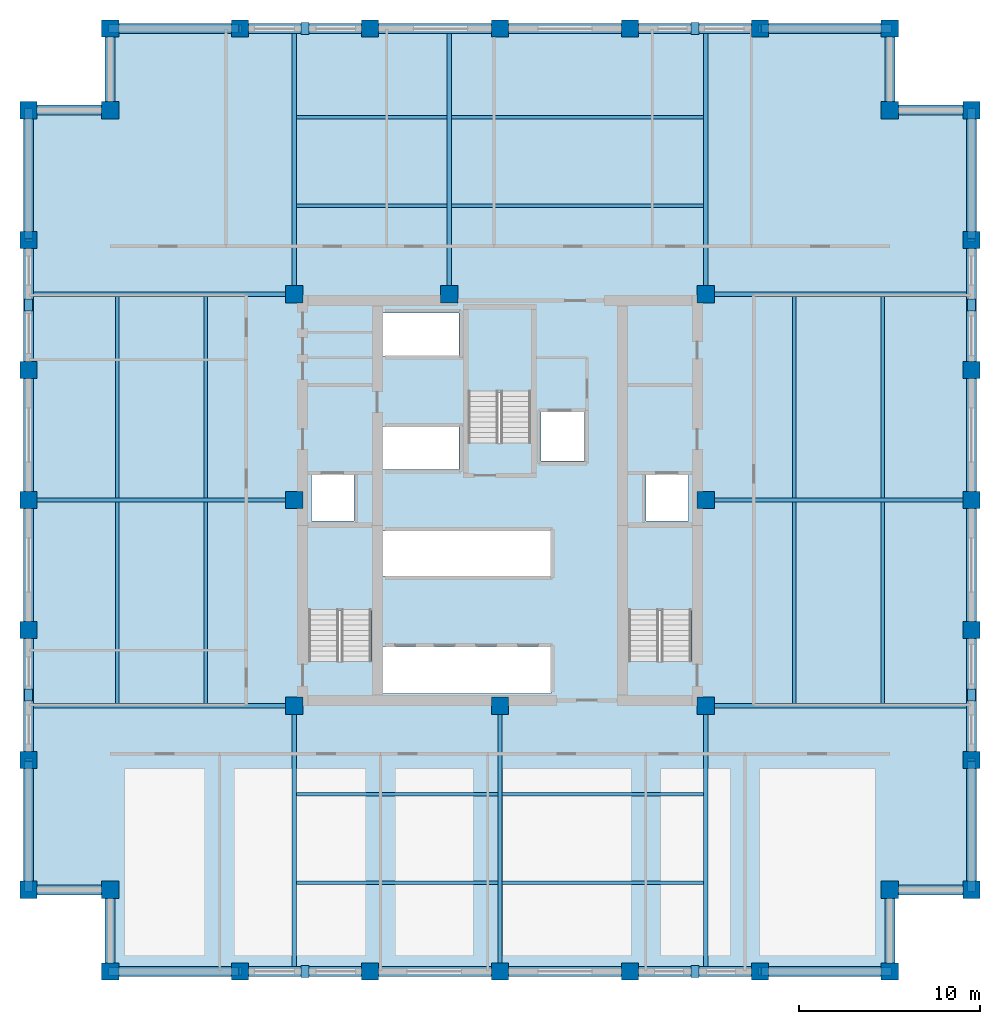
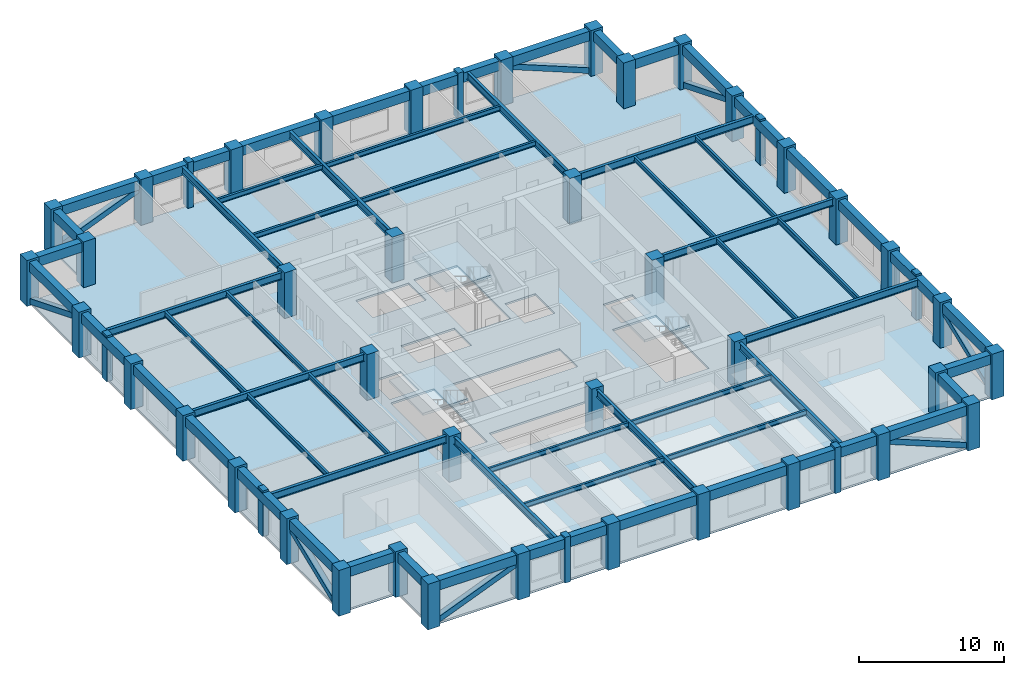
# One storey, part 1 of 9: 60 beams, 40 columns, 16 members, 4 slabs, 3 elements without a shape of their own.
"""IFC4 building model written with IfcOpenShell, lengths in metres."""

from ifc_helpers import new_model, si_unit, direction, frame, origin, origin_2d, place, context, subcontext, project, spatial, polyline, rectangle, hollow_rectangle, i_section, outline, extrude, material, layer, layer_set, material_profile, profile_set, type_object, element, aggregate, save


model = new_model("IFC4")

# Units and contexts
model_context = context("Model", 3, precision=1e-05, world=origin(), true_north=direction((0.0, 1.0)))
body_context = subcontext(model_context, "Body", "Model", "MODEL_VIEW")
ifc_project = project(units=[si_unit("LENGTHUNIT", "METRE"), si_unit("AREAUNIT", "SQUARE_METRE"), si_unit("VOLUMEUNIT", "CUBIC_METRE"), si_unit("PLANEANGLEUNIT", "RADIAN"), si_unit("MASSUNIT", "GRAM", prefix="KILO")], contexts=[model_context])

# Site, building, storey
site_placement = place(None, origin())
site = spatial("IfcSite", under=ifc_project, at=site_placement, CompositionType="ELEMENT")
building_placement = place(site_placement, origin())
building = spatial("IfcBuilding", under=site, at=building_placement, Name="Nhamokura Convention Tower", CompositionType="ELEMENT")
storey_placement = place(building_placement, frame((0.0, 0.0, 122.14990234375)))
storey = spatial("IfcBuildingStorey", under=building, at=storey_placement, Name="L29", CompositionType="ELEMENT", Elevation=122.14990234375)

# Columns
ifc_material_1 = material(Name="Concrete C60/75", Category="concrete")
ifc_material_profile_1 = material_profile(ifc_material_1, rectangle(XDim=0.949951171875, YDim=0.949951171875, at=origin_2d()))
ifc_profile_set_1 = profile_set([ifc_material_profile_1], Name="Concrete C60/75")
column_type = type_object("IfcColumnType", Name="TubeColumn_Z2_950", PredefinedType="COLUMN", material=ifc_profile_set_1)
for number, where, z_axis, x_axis, name in (
    (1, (20.64990234375, 20.64990234375, 0.0), (0.0, 0.0, 1.0), (1.0, 0.0, 0.0), "L29 Core Column CC-SW"),
    (2, (32.0, 20.64990234375, 0.0), (0.0, 0.0, 1.0), (1.0, 0.0, 0.0), "L29 Core Column CC-S"),
    (3, (43.35009765625, 20.64990234375, 0.0), (0.0, 0.0, 1.0), (1.0, 0.0, 0.0), "L29 Core Column CC-SE"),
    (4, (43.35009765625, 32.0, 0.0), (0.0, 0.0, 1.0), (1.0, 0.0, 0.0), "L29 Core Column CC-E"),
    (5, (43.35009765625, 43.35009765625, 0.0), (0.0, 0.0, 1.0), (1.0, 0.0, 0.0), "L29 Core Column CC-NE"),
    (6, (29.199951171875, 43.35009765625, 0.0), (0.0, 0.0, 1.0), (1.0, 0.0, 0.0), "L29 Core Column CC-N"),
    (7, (20.64990234375, 43.35009765625, 0.0), (0.0, 0.0, 1.0), (1.0, 0.0, 0.0), "L29 Core Column CC-NW"),
    (8, (20.64990234375, 32.0, 0.0), (0.0, 0.0, 1.0), (1.0, 0.0, 0.0), "L29 Core Column CC-W"),
    (9, (10.5, 6.0, 0.0), (0.0, 0.0, 1.0), (1.0, 0.0, 0.0), "L29 Perimeter Tube Column SW1"),
    (10, (10.5, 10.5, 0.0), (0.0, 0.0, 1.0), (1.0, 0.0, 0.0), "L29 Perimeter Tube Column SW0"),
    (11, (6.0, 10.5, 0.0), (0.0, 0.0, 1.0), (1.0, 0.0, 0.0), "L29 Perimeter Tube Column SW2"),
    (12, (53.5, 6.0, 0.0), (0.0, 0.0, 1.0), (1.0, 0.0, 0.0), "L29 Perimeter Tube Column SE1"),
    (13, (53.5, 10.5, 0.0), (0.0, 0.0, 1.0), (1.0, 0.0, 0.0), "L29 Perimeter Tube Column SE0"),
    (14, (58.0, 10.5, 0.0), (0.0, 0.0, 1.0), (1.0, 0.0, 0.0), "L29 Perimeter Tube Column SE2"),
    (15, (58.0, 53.5, 0.0), (0.0, 0.0, 1.0), (1.0, 0.0, 0.0), "L29 Perimeter Tube Column NE1"),
    (16, (53.5, 53.5, 0.0), (0.0, 0.0, 1.0), (1.0, 0.0, 0.0), "L29 Perimeter Tube Column NE0"),
    (17, (53.5, 58.0, 0.0), (0.0, 0.0, 1.0), (1.0, 0.0, 0.0), "L29 Perimeter Tube Column NE2"),
    (18, (10.5, 58.0, 0.0), (0.0, 0.0, 1.0), (1.0, 0.0, 0.0), "L29 Perimeter Tube Column NW1"),
    (19, (10.5, 53.5, 0.0), (0.0, 0.0, 1.0), (1.0, 0.0, 0.0), "L29 Perimeter Tube Column NW0"),
    (20, (6.0, 53.5, 0.0), (0.0, 0.0, 1.0), (1.0, 0.0, 0.0), "L29 Perimeter Tube Column NW2"),
    (21, (17.666748046875, 6.0, 0.0), (0.0, 0.0, 1.0), (1.0, 0.0, 0.0), "L29 Perimeter Tube Column S1"),
    (22, (17.666748046875, 58.0, 0.0), (0.0, 0.0, 1.0), (1.0, 0.0, 0.0), "L29 Perimeter Tube Column N1"),
    (23, (6.0, 17.666748046875, 0.0), (0.0, 0.0, 1.0), (1.0, 0.0, 0.0), "L29 Perimeter Tube Column W1"),
    (24, (58.0, 17.666748046875, 0.0), (0.0, 0.0, 1.0), (1.0, 0.0, 0.0), "L29 Perimeter Tube Column E1"),
    (25, (24.833251953125, 6.0, 0.0), (0.0, 0.0, 1.0), (1.0, 0.0, 0.0), "L29 Perimeter Tube Column S2"),
    (26, (24.833251953125, 58.0, 0.0), (0.0, 0.0, 1.0), (1.0, 0.0, 0.0), "L29 Perimeter Tube Column N2"),
    (27, (6.0, 24.833251953125, 0.0), (0.0, 0.0, 1.0), (1.0, 0.0, 0.0), "L29 Perimeter Tube Column W2"),
    (28, (58.0, 24.833251953125, 0.0), (0.0, 0.0, 1.0), (1.0, 0.0, 0.0), "L29 Perimeter Tube Column E2"),
    (29, (32.0, 6.0, 0.0), (0.0, 0.0, 1.0), (1.0, 0.0, 0.0), "L29 Perimeter Tube Column S3"),
    (30, (32.0, 58.0, 0.0), (0.0, 0.0, 1.0), (1.0, 0.0, 0.0), "L29 Perimeter Tube Column N3"),
    (31, (6.0, 32.0, 0.0), (0.0, 0.0, 1.0), (1.0, 0.0, 0.0), "L29 Perimeter Tube Column W3"),
    (32, (58.0, 32.0, 0.0), (0.0, 0.0, 1.0), (1.0, 0.0, 0.0), "L29 Perimeter Tube Column E3"),
    (33, (39.166748046875, 6.0, 0.0), (0.0, 0.0, 1.0), (1.0, 0.0, 0.0), "L29 Perimeter Tube Column S4"),
    (34, (39.166748046875, 58.0, 0.0), (0.0, 0.0, 1.0), (1.0, 0.0, 0.0), "L29 Perimeter Tube Column N4"),
    (35, (6.0, 39.166748046875, 0.0), (0.0, 0.0, 1.0), (1.0, 0.0, 0.0), "L29 Perimeter Tube Column W4"),
    (36, (58.0, 39.166748046875, 0.0), (0.0, 0.0, 1.0), (1.0, 0.0, 0.0), "L29 Perimeter Tube Column E4"),
    (37, (46.333251953125, 6.0, 0.0), (0.0, 0.0, 1.0), (1.0, 0.0, 0.0), "L29 Perimeter Tube Column S5"),
    (38, (46.333251953125, 58.0, 0.0), (0.0, 0.0, 1.0), (1.0, 0.0, 0.0), "L29 Perimeter Tube Column N5"),
    (39, (6.0, 46.333251953125, 0.0), (0.0, 0.0, 1.0), (1.0, 0.0, 0.0), "L29 Perimeter Tube Column W5"),
    (40, (58.0, 46.333251953125, 0.0), (0.0, 0.0, 1.0), (1.0, 0.0, 0.0), "L29 Perimeter Tube Column E5"),
):
    element("IfcColumn", number, at=place(storey_placement, frame(where, z_axis=z_axis, x_axis=x_axis)), inside=storey, type_object=column_type, Name=name, PredefinedType="COLUMN", context=body_context, shape_type="SweptSolid", body=[
        extrude(rectangle(XDim=0.949951171875, YDim=0.949951171875, at=origin_2d()), origin(), (0.0, 0.0, 1.0), 3.85009765625),
    ])

# Members
ifc_material_2 = material(Name="Bronze-pigmented precast concrete C45/55", Category="concrete")
ifc_material_profile_2 = material_profile(ifc_material_2, rectangle(XDim=0.449951171875, YDim=0.64990234375, at=origin_2d()))
ifc_profile_set_2 = profile_set([ifc_material_profile_2], Name="Bronze-pigmented precast concrete C45/55")
member_type_1 = type_object("IfcMemberType", Name="BronzePilaster_650", PredefinedType="USERDEFINED", material=ifc_profile_set_2)
for number, where, z_axis, x_axis, name in (
    (41, (21.25, 6.0, 0.0), (0.0, 0.0, 1.0), (1.0, 0.0, 0.0), "L29 Engaged Frame Pilaster SOUTH 1"),
    (42, (42.75, 6.0, 0.0), (0.0, 0.0, 1.0), (1.0, 0.0, 0.0), "L29 Engaged Frame Pilaster SOUTH 4"),
    (43, (21.25, 58.0, 0.0), (0.0, 0.0, 1.0), (1.0, 0.0, 0.0), "L29 Engaged Frame Pilaster NORTH 1"),
    (44, (42.75, 58.0, 0.0), (0.0, 0.0, 1.0), (1.0, 0.0, 0.0), "L29 Engaged Frame Pilaster NORTH 4"),
    (45, (6.0, 21.25, 0.0), (0.0, 0.0, 1.0), (1.0, 0.0, 0.0), "L29 Engaged Frame Pilaster WEST 1"),
    (46, (6.0, 42.75, 0.0), (0.0, 0.0, 1.0), (1.0, 0.0, 0.0), "L29 Engaged Frame Pilaster WEST 4"),
    (47, (58.0, 21.25, 0.0), (0.0, 0.0, 1.0), (1.0, 0.0, 0.0), "L29 Engaged Frame Pilaster EAST 1"),
    (48, (58.0, 42.75, 0.0), (0.0, 0.0, 1.0), (1.0, 0.0, 0.0), "L29 Engaged Frame Pilaster EAST 4"),
):
    element("IfcMember", number, at=place(storey_placement, frame(where, z_axis=z_axis, x_axis=x_axis)), inside=storey, type_object=member_type_1, Name=name, ObjectType="PILASTER_TRIM", PredefinedType="USERDEFINED", context=body_context, shape_type="SweptSolid", body=[
        extrude(rectangle(XDim=0.449951171875, YDim=0.64990234375, at=origin_2d()), origin(), (0.0, 0.0, 1.0), 3.85009765625),
    ])

# Beams
ifc_material_3 = material(Name="Steel ASTM A992 Gr 50", Category="steel")
ifc_material_profile_3 = material_profile(ifc_material_3, i_section(OverallWidth=0.177001953125, OverallDepth=0.403076171875, WebThickness=0.007568359375, FlangeThickness=0.010986328125, at=origin_2d()))
ifc_profile_set_3 = profile_set([ifc_material_profile_3], Name="Steel ASTM A992 Gr 50")
beam_type_1 = type_object("IfcBeamType", Name="FloorJoist_W410X53", PredefinedType="JOIST", material=ifc_profile_set_3)
for number, where, z_axis, x_axis, name in (
    (49, (20.761962890625, 10.88330078125, 3.483642578125), (1.0, 0.0, 0.0), (0.0, 1.0, 0.0), "L29 Composite Floor Joist S1A"),
    (50, (32.112060546875, 10.88330078125, 3.483642578125), (1.0, 0.0, 0.0), (0.0, 1.0, 0.0), "L29 Composite Floor Joist S1B"),
    (51, (20.761962890625, 15.7666015625, 3.483642578125), (1.0, 0.0, 0.0), (0.0, 1.0, 0.0), "L29 Composite Floor Joist S2A"),
    (52, (32.112060546875, 15.7666015625, 3.483642578125), (1.0, 0.0, 0.0), (0.0, 1.0, 0.0), "L29 Composite Floor Joist S2B"),
):
    element("IfcBeam", number, at=place(storey_placement, frame(where, z_axis=z_axis, x_axis=x_axis)), inside=storey, type_object=beam_type_1, Name=name, PredefinedType="JOIST", context=body_context, shape_type="SweptSolid", body=[
        extrude(i_section(OverallWidth=0.177001953125, OverallDepth=0.403076171875, WebThickness=0.007568359375, FlangeThickness=0.010986328125, at=origin_2d()), origin(), (0.0, 0.0, 1.0), 11.1259765625),
    ])
beam_1_placement = place(storey_placement, frame((20.761962890625, 48.2333984375, 3.483642578125), z_axis=(1.0, 0.0, 0.0), x_axis=(0.0, 1.0, 0.0)))
element("IfcBeam", 53, at=beam_1_placement, inside=storey, type_object=beam_type_1, Name="L29 Composite Floor Joist N1A", PredefinedType="JOIST", context=body_context, shape_type="SweptSolid", body=[
    extrude(i_section(OverallWidth=0.177001953125, OverallDepth=0.403076171875, WebThickness=0.007568359375, FlangeThickness=0.010986328125, at=origin_2d()), origin(), (0.0, 0.0, 1.0), 8.325927734375),
])
beam_2_placement = place(storey_placement, frame((29.31201171875, 48.2333984375, 3.483642578125), z_axis=(1.0, 0.0, 0.0), x_axis=(0.0, 1.0, 0.0)))
element("IfcBeam", 54, at=beam_2_placement, inside=storey, type_object=beam_type_1, Name="L29 Composite Floor Joist N1B", PredefinedType="JOIST", context=body_context, shape_type="SweptSolid", body=[
    extrude(i_section(OverallWidth=0.177001953125, OverallDepth=0.403076171875, WebThickness=0.007568359375, FlangeThickness=0.010986328125, at=origin_2d()), origin(), (0.0, 0.0, 1.0), 13.926025390625),
])
beam_3_placement = place(storey_placement, frame((20.761962890625, 53.11669921875, 3.483642578125), z_axis=(1.0, 0.0, 0.0), x_axis=(0.0, 1.0, 0.0)))
element("IfcBeam", 55, at=beam_3_placement, inside=storey, type_object=beam_type_1, Name="L29 Composite Floor Joist N2A", PredefinedType="JOIST", context=body_context, shape_type="SweptSolid", body=[
    extrude(i_section(OverallWidth=0.177001953125, OverallDepth=0.403076171875, WebThickness=0.007568359375, FlangeThickness=0.010986328125, at=origin_2d()), origin(), (0.0, 0.0, 1.0), 8.325927734375),
])
beam_4_placement = place(storey_placement, frame((29.31201171875, 53.11669921875, 3.483642578125), z_axis=(1.0, 0.0, 0.0), x_axis=(0.0, 1.0, 0.0)))
element("IfcBeam", 56, at=beam_4_placement, inside=storey, type_object=beam_type_1, Name="L29 Composite Floor Joist N2B", PredefinedType="JOIST", context=body_context, shape_type="SweptSolid", body=[
    extrude(i_section(OverallWidth=0.177001953125, OverallDepth=0.403076171875, WebThickness=0.007568359375, FlangeThickness=0.010986328125, at=origin_2d()), origin(), (0.0, 0.0, 1.0), 13.926025390625),
])
for number, where, z_axis, x_axis, name in (
    (57, (10.88330078125, 20.761962890625, 3.483642578125), (0.0, 1.0, 0.0), (-1.0, 0.0, 0.0), "L29 Composite Floor Joist W1A"),
    (58, (10.88330078125, 32.112060546875, 3.483642578125), (0.0, 1.0, 0.0), (-1.0, 0.0, 0.0), "L29 Composite Floor Joist W1B"),
    (59, (15.7666015625, 20.761962890625, 3.483642578125), (0.0, 1.0, 0.0), (-1.0, 0.0, 0.0), "L29 Composite Floor Joist W2A"),
    (60, (15.7666015625, 32.112060546875, 3.483642578125), (0.0, 1.0, 0.0), (-1.0, 0.0, 0.0), "L29 Composite Floor Joist W2B"),
    (61, (48.2333984375, 20.761962890625, 3.483642578125), (0.0, 1.0, 0.0), (-1.0, 0.0, 0.0), "L29 Composite Floor Joist E1A"),
    (62, (48.2333984375, 32.112060546875, 3.483642578125), (0.0, 1.0, 0.0), (-1.0, 0.0, 0.0), "L29 Composite Floor Joist E1B"),
    (63, (53.11669921875, 20.761962890625, 3.483642578125), (0.0, 1.0, 0.0), (-1.0, 0.0, 0.0), "L29 Composite Floor Joist E2A"),
    (64, (53.11669921875, 32.112060546875, 3.483642578125), (0.0, 1.0, 0.0), (-1.0, 0.0, 0.0), "L29 Composite Floor Joist E2B"),
):
    element("IfcBeam", number, at=place(storey_placement, frame(where, z_axis=z_axis, x_axis=x_axis)), inside=storey, type_object=beam_type_1, Name=name, PredefinedType="JOIST", context=body_context, shape_type="SweptSolid", body=[
        extrude(i_section(OverallWidth=0.177001953125, OverallDepth=0.403076171875, WebThickness=0.007568359375, FlangeThickness=0.010986328125, at=origin_2d()), origin(), (0.0, 0.0, 1.0), 11.1259765625),
    ])
ifc_material_4 = material(Name="Steel ASTM A992 Gr 50", Category="steel")
ifc_material_profile_4 = material_profile(ifc_material_4, i_section(OverallWidth=0.22802734375, OverallDepth=0.60791015625, WebThickness=0.01123046875, FlangeThickness=0.017333984375, at=origin_2d()))
ifc_profile_set_4 = profile_set([ifc_material_profile_4], Name="Steel ASTM A992 Gr 50")
beam_type_2 = type_object("IfcBeamType", Name="PrimaryGirder_W610X113", PredefinedType="BEAM", material=ifc_profile_set_4)
for number, where, z_axis, x_axis, name in (
    (65, (20.64990234375, 6.0, 3.381103515625), (0.0, 1.0, 0.0), (-1.0, 0.0, 0.0), "L29 Primary Floor Girder PG-S1"),
    (66, (32.0, 6.0, 3.381103515625), (0.0, 1.0, 0.0), (-1.0, 0.0, 0.0), "L29 Primary Floor Girder PG-S2"),
    (67, (43.35009765625, 6.0, 3.381103515625), (0.0, 1.0, 0.0), (-1.0, 0.0, 0.0), "L29 Primary Floor Girder PG-S3"),
    (68, (20.64990234375, 43.35009765625, 3.381103515625), (0.0, 1.0, 0.0), (-1.0, 0.0, 0.0), "L29 Primary Floor Girder PG-N1"),
    (69, (29.199951171875, 43.35009765625, 3.381103515625), (0.0, 1.0, 0.0), (-1.0, 0.0, 0.0), "L29 Primary Floor Girder PG-N2"),
    (70, (43.35009765625, 43.35009765625, 3.381103515625), (0.0, 1.0, 0.0), (-1.0, 0.0, 0.0), "L29 Primary Floor Girder PG-N3"),
    (71, (6.0, 20.64990234375, 3.381103515625), (1.0, 0.0, 0.0), (0.0, 1.0, 0.0), "L29 Primary Floor Girder PG-W1"),
    (72, (6.0, 32.0, 3.381103515625), (1.0, 0.0, 0.0), (0.0, 1.0, 0.0), "L29 Primary Floor Girder PG-W2"),
    (73, (6.0, 43.35009765625, 3.381103515625), (1.0, 0.0, 0.0), (0.0, 1.0, 0.0), "L29 Primary Floor Girder PG-W3"),
    (74, (43.35009765625, 20.64990234375, 3.381103515625), (1.0, 0.0, 0.0), (0.0, 1.0, 0.0), "L29 Primary Floor Girder PG-E1"),
    (75, (43.35009765625, 32.0, 3.381103515625), (1.0, 0.0, 0.0), (0.0, 1.0, 0.0), "L29 Primary Floor Girder PG-E2"),
    (76, (43.35009765625, 43.35009765625, 3.381103515625), (1.0, 0.0, 0.0), (0.0, 1.0, 0.0), "L29 Primary Floor Girder PG-E3"),
):
    element("IfcBeam", number, at=place(storey_placement, frame(where, z_axis=z_axis, x_axis=x_axis)), inside=storey, type_object=beam_type_2, Name=name, PredefinedType="BEAM", context=body_context, shape_type="SweptSolid", body=[
        extrude(i_section(OverallWidth=0.22802734375, OverallDepth=0.60791015625, WebThickness=0.01123046875, FlangeThickness=0.017333984375, at=origin_2d()), origin(), (0.0, 0.0, 1.0), 14.64990234375),
    ])

# Members
ifc_material_5 = material(Name="Steel ASTM A572 Gr 50", Category="steel")
ifc_material_profile_5 = material_profile(ifc_material_5, hollow_rectangle(XDim=0.449951171875, YDim=0.449951171875, WallThickness=0.02197265625, at=origin_2d()))
ifc_profile_set_5 = profile_set([ifc_material_profile_5], Name="Steel ASTM A572 Gr 50")
member_type_2 = type_object("IfcMemberType", Name="TubeBrace_HSS450", PredefinedType="BRACE", material=ifc_profile_set_5)
for number, where, z_axis, x_axis, name in (
    (77, (10.5, 6.0, 0.150146484375), (0.927657166893, 0.0, 0.373432966826), (0.0, 1.0, 0.0), "L29 Perimeter Tube Brace SOUTH Bay 0"),
    (78, (53.5, 6.0, 0.150146484375), (-0.927657166893, 0.0, 0.373432966826), (0.0, -1.0, 0.0), "L29 Perimeter Tube Brace SOUTH Bay 5"),
    (79, (10.5, 58.0, 0.150146484375), (0.927657166893, 0.0, 0.373432966826), (0.0, 1.0, 0.0), "L29 Perimeter Tube Brace NORTH Bay 0"),
    (80, (53.5, 58.0, 0.150146484375), (-0.927657166893, 0.0, 0.373432966826), (0.0, -1.0, 0.0), "L29 Perimeter Tube Brace NORTH Bay 5"),
    (81, (6.0, 10.5, 0.150146484375), (0.0, 0.927657166893, 0.373432966826), (-1.0, 0.0, 0.0), "L29 Perimeter Tube Brace WEST Bay 0"),
    (82, (6.0, 53.5, 0.150146484375), (0.0, -0.927657166893, 0.373432966826), (1.0, 0.0, 0.0), "L29 Perimeter Tube Brace WEST Bay 5"),
    (83, (58.0, 10.5, 0.150146484375), (0.0, 0.927657166893, 0.373432966826), (-1.0, 0.0, 0.0), "L29 Perimeter Tube Brace EAST Bay 0"),
    (84, (58.0, 53.5, 0.150146484375), (0.0, -0.927657166893, 0.373432966826), (1.0, 0.0, 0.0), "L29 Perimeter Tube Brace EAST Bay 5"),
):
    element("IfcMember", number, at=place(storey_placement, frame(where, z_axis=z_axis, x_axis=x_axis)), inside=storey, type_object=member_type_2, Name=name, PredefinedType="BRACE", context=body_context, shape_type="SweptSolid", body=[
        extrude(hollow_rectangle(XDim=0.449951171875, YDim=0.449951171875, WallThickness=0.02197265625, at=origin_2d()), origin(), (0.0, 0.0, 1.0), 7.7255859375),
    ])

# Beams
ifc_material_6 = material(Name="Concrete C50/60", Category="concrete")
ifc_material_profile_6 = material_profile(ifc_material_6, rectangle(XDim=0.550048828125, YDim=0.800048828125, at=origin_2d()))
ifc_profile_set_6 = profile_set([ifc_material_profile_6], Name="Concrete C50/60")
beam_type_3 = type_object("IfcBeamType", Name="TubeSpandrel_800", PredefinedType="SPANDREL", material=ifc_profile_set_6)
beam_5_placement = place(storey_placement, frame((10.5, 6.0, 3.28515625), z_axis=(1.0, 0.0, 0.0), x_axis=(0.0, 1.0, 0.0)))
element("IfcBeam", 85, at=beam_5_placement, inside=storey, type_object=beam_type_3, Name="L29 Perimeter Spandrel SOUTH 1", PredefinedType="SPANDREL", context=body_context, shape_type="SweptSolid", body=[
    extrude(rectangle(XDim=0.550048828125, YDim=0.800048828125, at=origin_2d()), origin(), (0.0, 0.0, 1.0), 7.166748046875),
])
beam_6_placement = place(storey_placement, frame((17.666748046875, 6.0, 3.28515625), z_axis=(1.0, 0.0, 0.0), x_axis=(0.0, 1.0, 0.0)))
element("IfcBeam", 86, at=beam_6_placement, inside=storey, type_object=beam_type_3, Name="L29 Perimeter Spandrel SOUTH 2", PredefinedType="SPANDREL", context=body_context, shape_type="SweptSolid", body=[
    extrude(rectangle(XDim=0.550048828125, YDim=0.800048828125, at=origin_2d()), origin(), (0.0, 0.0, 1.0), 7.16650390625),
])
for number, where, z_axis, x_axis, name in (
    (87, (24.833251953125, 6.0, 3.28515625), (1.0, 0.0, 0.0), (0.0, 1.0, 0.0), "L29 Perimeter Spandrel SOUTH 3"),
    (88, (32.0, 6.0, 3.28515625), (1.0, 0.0, 0.0), (0.0, 1.0, 0.0), "L29 Perimeter Spandrel SOUTH 4"),
):
    element("IfcBeam", number, at=place(storey_placement, frame(where, z_axis=z_axis, x_axis=x_axis)), inside=storey, type_object=beam_type_3, Name=name, PredefinedType="SPANDREL", context=body_context, shape_type="SweptSolid", body=[
        extrude(rectangle(XDim=0.550048828125, YDim=0.800048828125, at=origin_2d()), origin(), (0.0, 0.0, 1.0), 7.166748046875),
    ])
beam_7_placement = place(storey_placement, frame((39.166748046875, 6.0, 3.28515625), z_axis=(1.0, 0.0, 0.0), x_axis=(0.0, 1.0, 0.0)))
element("IfcBeam", 89, at=beam_7_placement, inside=storey, type_object=beam_type_3, Name="L29 Perimeter Spandrel SOUTH 5", PredefinedType="SPANDREL", context=body_context, shape_type="SweptSolid", body=[
    extrude(rectangle(XDim=0.550048828125, YDim=0.800048828125, at=origin_2d()), origin(), (0.0, 0.0, 1.0), 7.16650390625),
])
for number, where, z_axis, x_axis, name in (
    (90, (46.333251953125, 6.0, 3.28515625), (1.0, 0.0, 0.0), (0.0, 1.0, 0.0), "L29 Perimeter Spandrel SOUTH 6"),
    (91, (10.5, 58.0, 3.28515625), (1.0, 0.0, 0.0), (0.0, 1.0, 0.0), "L29 Perimeter Spandrel NORTH 1"),
):
    element("IfcBeam", number, at=place(storey_placement, frame(where, z_axis=z_axis, x_axis=x_axis)), inside=storey, type_object=beam_type_3, Name=name, PredefinedType="SPANDREL", context=body_context, shape_type="SweptSolid", body=[
        extrude(rectangle(XDim=0.550048828125, YDim=0.800048828125, at=origin_2d()), origin(), (0.0, 0.0, 1.0), 7.166748046875),
    ])
beam_8_placement = place(storey_placement, frame((17.666748046875, 58.0, 3.28515625), z_axis=(1.0, 0.0, 0.0), x_axis=(0.0, 1.0, 0.0)))
element("IfcBeam", 92, at=beam_8_placement, inside=storey, type_object=beam_type_3, Name="L29 Perimeter Spandrel NORTH 2", PredefinedType="SPANDREL", context=body_context, shape_type="SweptSolid", body=[
    extrude(rectangle(XDim=0.550048828125, YDim=0.800048828125, at=origin_2d()), origin(), (0.0, 0.0, 1.0), 7.16650390625),
])
for number, where, z_axis, x_axis, name in (
    (93, (24.833251953125, 58.0, 3.28515625), (1.0, 0.0, 0.0), (0.0, 1.0, 0.0), "L29 Perimeter Spandrel NORTH 3"),
    (94, (32.0, 58.0, 3.28515625), (1.0, 0.0, 0.0), (0.0, 1.0, 0.0), "L29 Perimeter Spandrel NORTH 4"),
):
    element("IfcBeam", number, at=place(storey_placement, frame(where, z_axis=z_axis, x_axis=x_axis)), inside=storey, type_object=beam_type_3, Name=name, PredefinedType="SPANDREL", context=body_context, shape_type="SweptSolid", body=[
        extrude(rectangle(XDim=0.550048828125, YDim=0.800048828125, at=origin_2d()), origin(), (0.0, 0.0, 1.0), 7.166748046875),
    ])
beam_9_placement = place(storey_placement, frame((39.166748046875, 58.0, 3.28515625), z_axis=(1.0, 0.0, 0.0), x_axis=(0.0, 1.0, 0.0)))
element("IfcBeam", 95, at=beam_9_placement, inside=storey, type_object=beam_type_3, Name="L29 Perimeter Spandrel NORTH 5", PredefinedType="SPANDREL", context=body_context, shape_type="SweptSolid", body=[
    extrude(rectangle(XDim=0.550048828125, YDim=0.800048828125, at=origin_2d()), origin(), (0.0, 0.0, 1.0), 7.16650390625),
])
for number, where, z_axis, x_axis, name in (
    (96, (46.333251953125, 58.0, 3.28515625), (1.0, 0.0, 0.0), (0.0, 1.0, 0.0), "L29 Perimeter Spandrel NORTH 6"),
    (97, (6.0, 10.5, 3.28515625), (0.0, 1.0, 0.0), (-1.0, 0.0, 0.0), "L29 Perimeter Spandrel WEST 1"),
):
    element("IfcBeam", number, at=place(storey_placement, frame(where, z_axis=z_axis, x_axis=x_axis)), inside=storey, type_object=beam_type_3, Name=name, PredefinedType="SPANDREL", context=body_context, shape_type="SweptSolid", body=[
        extrude(rectangle(XDim=0.550048828125, YDim=0.800048828125, at=origin_2d()), origin(), (0.0, 0.0, 1.0), 7.166748046875),
    ])
beam_10_placement = place(storey_placement, frame((6.0, 17.666748046875, 3.28515625), z_axis=(0.0, 1.0, 0.0), x_axis=(-1.0, 0.0, 0.0)))
element("IfcBeam", 98, at=beam_10_placement, inside=storey, type_object=beam_type_3, Name="L29 Perimeter Spandrel WEST 2", PredefinedType="SPANDREL", context=body_context, shape_type="SweptSolid", body=[
    extrude(rectangle(XDim=0.550048828125, YDim=0.800048828125, at=origin_2d()), origin(), (0.0, 0.0, 1.0), 7.16650390625),
])
for number, where, z_axis, x_axis, name in (
    (99, (6.0, 24.833251953125, 3.28515625), (0.0, 1.0, 0.0), (-1.0, 0.0, 0.0), "L29 Perimeter Spandrel WEST 3"),
    (100, (6.0, 32.0, 3.28515625), (0.0, 1.0, 0.0), (-1.0, 0.0, 0.0), "L29 Perimeter Spandrel WEST 4"),
):
    element("IfcBeam", number, at=place(storey_placement, frame(where, z_axis=z_axis, x_axis=x_axis)), inside=storey, type_object=beam_type_3, Name=name, PredefinedType="SPANDREL", context=body_context, shape_type="SweptSolid", body=[
        extrude(rectangle(XDim=0.550048828125, YDim=0.800048828125, at=origin_2d()), origin(), (0.0, 0.0, 1.0), 7.166748046875),
    ])
beam_11_placement = place(storey_placement, frame((6.0, 39.166748046875, 3.28515625), z_axis=(0.0, 1.0, 0.0), x_axis=(-1.0, 0.0, 0.0)))
element("IfcBeam", 101, at=beam_11_placement, inside=storey, type_object=beam_type_3, Name="L29 Perimeter Spandrel WEST 5", PredefinedType="SPANDREL", context=body_context, shape_type="SweptSolid", body=[
    extrude(rectangle(XDim=0.550048828125, YDim=0.800048828125, at=origin_2d()), origin(), (0.0, 0.0, 1.0), 7.16650390625),
])
for number, where, z_axis, x_axis, name in (
    (102, (6.0, 46.333251953125, 3.28515625), (0.0, 1.0, 0.0), (-1.0, 0.0, 0.0), "L29 Perimeter Spandrel WEST 6"),
    (103, (58.0, 10.5, 3.28515625), (0.0, 1.0, 0.0), (-1.0, 0.0, 0.0), "L29 Perimeter Spandrel EAST 1"),
):
    element("IfcBeam", number, at=place(storey_placement, frame(where, z_axis=z_axis, x_axis=x_axis)), inside=storey, type_object=beam_type_3, Name=name, PredefinedType="SPANDREL", context=body_context, shape_type="SweptSolid", body=[
        extrude(rectangle(XDim=0.550048828125, YDim=0.800048828125, at=origin_2d()), origin(), (0.0, 0.0, 1.0), 7.166748046875),
    ])
beam_12_placement = place(storey_placement, frame((58.0, 17.666748046875, 3.28515625), z_axis=(0.0, 1.0, 0.0), x_axis=(-1.0, 0.0, 0.0)))
element("IfcBeam", 104, at=beam_12_placement, inside=storey, type_object=beam_type_3, Name="L29 Perimeter Spandrel EAST 2", PredefinedType="SPANDREL", context=body_context, shape_type="SweptSolid", body=[
    extrude(rectangle(XDim=0.550048828125, YDim=0.800048828125, at=origin_2d()), origin(), (0.0, 0.0, 1.0), 7.16650390625),
])
for number, where, z_axis, x_axis, name in (
    (105, (58.0, 24.833251953125, 3.28515625), (0.0, 1.0, 0.0), (-1.0, 0.0, 0.0), "L29 Perimeter Spandrel EAST 3"),
    (106, (58.0, 32.0, 3.28515625), (0.0, 1.0, 0.0), (-1.0, 0.0, 0.0), "L29 Perimeter Spandrel EAST 4"),
):
    element("IfcBeam", number, at=place(storey_placement, frame(where, z_axis=z_axis, x_axis=x_axis)), inside=storey, type_object=beam_type_3, Name=name, PredefinedType="SPANDREL", context=body_context, shape_type="SweptSolid", body=[
        extrude(rectangle(XDim=0.550048828125, YDim=0.800048828125, at=origin_2d()), origin(), (0.0, 0.0, 1.0), 7.166748046875),
    ])
beam_13_placement = place(storey_placement, frame((58.0, 39.166748046875, 3.28515625), z_axis=(0.0, 1.0, 0.0), x_axis=(-1.0, 0.0, 0.0)))
element("IfcBeam", 107, at=beam_13_placement, inside=storey, type_object=beam_type_3, Name="L29 Perimeter Spandrel EAST 5", PredefinedType="SPANDREL", context=body_context, shape_type="SweptSolid", body=[
    extrude(rectangle(XDim=0.550048828125, YDim=0.800048828125, at=origin_2d()), origin(), (0.0, 0.0, 1.0), 7.16650390625),
])
beam_14_placement = place(storey_placement, frame((58.0, 46.333251953125, 3.28515625), z_axis=(0.0, 1.0, 0.0), x_axis=(-1.0, 0.0, 0.0)))
element("IfcBeam", 108, at=beam_14_placement, inside=storey, type_object=beam_type_3, Name="L29 Perimeter Spandrel EAST 6", PredefinedType="SPANDREL", context=body_context, shape_type="SweptSolid", body=[
    extrude(rectangle(XDim=0.550048828125, YDim=0.800048828125, at=origin_2d()), origin(), (0.0, 0.0, 1.0), 7.166748046875),
])
for number, where, z_axis, x_axis, name in (
    (109, (10.5, 6.0, 3.28515625), (0.0, 1.0, 0.0), (-1.0, 0.0, 0.0), "L29 Notch Spandrel SW1"),
    (110, (10.5, 10.5, 3.28515625), (-1.0, 0.0, 0.0), (0.0, -1.0, 0.0), "L29 Notch Spandrel SW2"),
    (111, (53.5, 6.0, 3.28515625), (0.0, 1.0, 0.0), (-1.0, 0.0, 0.0), "L29 Notch Spandrel SE1"),
    (112, (53.5, 10.5, 3.28515625), (1.0, 0.0, 0.0), (0.0, 1.0, 0.0), "L29 Notch Spandrel SE2"),
    (113, (58.0, 53.5, 3.28515625), (-1.0, 0.0, 0.0), (0.0, -1.0, 0.0), "L29 Notch Spandrel NE1"),
    (114, (53.5, 53.5, 3.28515625), (0.0, 1.0, 0.0), (-1.0, 0.0, 0.0), "L29 Notch Spandrel NE2"),
    (115, (10.5, 58.0, 3.28515625), (0.0, -1.0, 0.0), (1.0, 0.0, 0.0), "L29 Notch Spandrel NW1"),
    (116, (10.5, 53.5, 3.28515625), (-1.0, 0.0, 0.0), (0.0, -1.0, 0.0), "L29 Notch Spandrel NW2"),
):
    element("IfcBeam", number, at=place(storey_placement, frame(where, z_axis=z_axis, x_axis=x_axis)), inside=storey, type_object=beam_type_3, Name=name, PredefinedType="SPANDREL", context=body_context, shape_type="SweptSolid", body=[
        extrude(rectangle(XDim=0.550048828125, YDim=0.800048828125, at=origin_2d()), origin(), (0.0, 0.0, 1.0), 4.5),
    ])

# Slab
ifc_material_7 = material(Name="Concrete C40/50", Category="concrete")
ifc_layer_1 = layer(ifc_material_7, 0.1650390625)
ifc_layer_set_1 = layer_set([ifc_layer_1], Name="OfficeFloorSlab_165")
slab_type_1 = type_object("IfcSlabType", Name="OfficeFloorSlab_165", PredefinedType="FLOOR", material=ifc_layer_set_1)
slab_1_placement = place(storey_placement, frame((0.0, 0.0, -0.164794921875)))
element("IfcSlab", 117, at=slab_1_placement, inside=storey, type_object=slab_type_1, Name="L29 Structural Floor Slab", PredefinedType="FLOOR", context=body_context, shape_type="SweptSolid", body=[
    extrude(outline(polyline([(10.5, 6.0), (53.5, 6.0), (53.5, 10.5), (58.0, 10.5), (58.0, 53.5), (53.5, 53.5), (53.5, 58.0), (10.5, 58.0), (10.5, 53.5), (6.0, 53.5), (6.0, 10.5), (10.5, 10.5), (10.5, 6.0)]), holes=[polyline([(24.89990234375, 23.10009765625), (24.89990234375, 30.449951171875), (21.449951171875, 30.449951171875), (21.449951171875, 23.10009765625), (24.89990234375, 23.10009765625)]), polyline([(42.550048828125, 23.10009765625), (42.550048828125, 30.449951171875), (39.10009765625, 30.449951171875), (39.10009765625, 23.10009765625), (42.550048828125, 23.10009765625)]), polyline([(33.699951171875, 35.14990234375), (33.699951171875, 42.5), (30.25, 42.5), (30.25, 35.14990234375), (33.699951171875, 35.14990234375)]), polyline([(21.60009765625, 30.85009765625), (23.949951171875, 30.85009765625), (23.949951171875, 33.39990234375), (21.60009765625, 33.39990234375), (21.60009765625, 30.85009765625)]), polyline([(40.050048828125, 30.85009765625), (42.39990234375, 30.85009765625), (42.39990234375, 33.39990234375), (40.050048828125, 33.39990234375), (40.050048828125, 30.85009765625)]), polyline([(34.25, 34.14990234375), (36.64990234375, 34.14990234375), (36.64990234375, 36.85009765625), (34.25, 36.85009765625), (34.25, 34.14990234375)]), polyline([(25.52001953125, 21.320068359375), (34.800048828125, 21.320068359375), (34.800048828125, 23.89990234375), (25.52001953125, 23.89990234375), (25.52001953125, 21.320068359375)]), polyline([(25.52001953125, 27.800048828125), (34.800048828125, 27.800048828125), (34.800048828125, 30.300048828125), (25.52001953125, 30.300048828125), (25.52001953125, 27.800048828125)]), polyline([(25.52001953125, 33.679931640625), (29.75, 33.679931640625), (29.75, 36.050048828125), (25.52001953125, 36.050048828125), (25.52001953125, 33.679931640625)]), polyline([(25.52001953125, 39.949951171875), (29.75, 39.949951171875), (29.75, 42.320068359375), (25.52001953125, 42.320068359375), (25.52001953125, 39.949951171875)])]), origin(), (0.0, 0.0, 1.0), 0.164794921875),
])

# Stair, slab
ifc_material_8 = material(Name="Concrete C40/50", Category="concrete")
stair_type = type_object("IfcStairType", Name="TowerCoreStair_1650", PredefinedType="HALF_TURN_STAIR", material=ifc_material_8)
stair_1_placement = place(storey_placement, origin())
stair_1 = element("IfcStair", 118, at=stair_1_placement, inside=storey, type_object=stair_type, Name="L29 West Core Smokeproof Stair ST-01", PredefinedType="HALF_TURN_STAIR")
ifc_material_9 = material(Name="Concrete C40/50", Category="concrete")
ifc_layer_2 = layer(ifc_material_9, 0.199951171875)
ifc_layer_set_2 = layer_set([ifc_layer_2], Name="StairLandingSlab_200")
slab_type_2 = type_object("IfcSlabType", Name="StairLandingSlab_200", PredefinedType="LANDING", material=ifc_layer_set_2)
slab_2_placement = place(storey_placement, frame((0.0, 0.0, 1.72509765625)))
slab_2 = element("IfcSlab", 119, at=slab_2_placement, type_object=slab_type_2, Name="ST-01 landing 1", PredefinedType="LANDING", context=body_context, shape_type="SweptSolid", body=[
    extrude(outline(polyline([(24.97998046875, 25.8701171875), (24.97998046875, 30.530029296875), (21.3701171875, 30.530029296875), (21.3701171875, 25.8701171875), (24.97998046875, 25.8701171875)])), origin(), (0.0, 0.0, 1.0), 0.199951171875),
])
aggregate(stair_1, [slab_2])

stair_2_placement = place(storey_placement, origin())
stair_2 = element("IfcStair", 120, at=stair_2_placement, inside=storey, type_object=stair_type, Name="L29 East Core Smokeproof Stair ST-02", PredefinedType="HALF_TURN_STAIR")
slab_3_placement = place(storey_placement, frame((0.0, 0.0, 1.72509765625)))
slab_3 = element("IfcSlab", 121, at=slab_3_placement, type_object=slab_type_2, Name="ST-02 landing 1", PredefinedType="LANDING", context=body_context, shape_type="SweptSolid", body=[
    extrude(outline(polyline([(42.6298828125, 25.8701171875), (42.6298828125, 30.530029296875), (39.02001953125, 30.530029296875), (39.02001953125, 25.8701171875), (42.6298828125, 25.8701171875)])), origin(), (0.0, 0.0, 1.0), 0.199951171875),
])
aggregate(stair_2, [slab_3])

stair_3_placement = place(storey_placement, origin())
stair_3 = element("IfcStair", 122, at=stair_3_placement, inside=storey, type_object=stair_type, Name="L29 North Core Smokeproof Stair ST-03", PredefinedType="HALF_TURN_STAIR")
slab_4_placement = place(storey_placement, frame((0.0, 0.0, 1.72509765625)))
slab_4 = element("IfcSlab", 123, at=slab_4_placement, type_object=slab_type_2, Name="ST-03 landing 1", PredefinedType="LANDING", context=body_context, shape_type="SweptSolid", body=[
    extrude(outline(polyline([(33.780029296875, 37.919921875), (33.780029296875, 42.580078125), (30.169921875, 42.580078125), (30.169921875, 37.919921875), (33.780029296875, 37.919921875)])), origin(), (0.0, 0.0, 1.0), 0.199951171875),
])
aggregate(stair_3, [slab_4])

save(model, "model.ifc")
